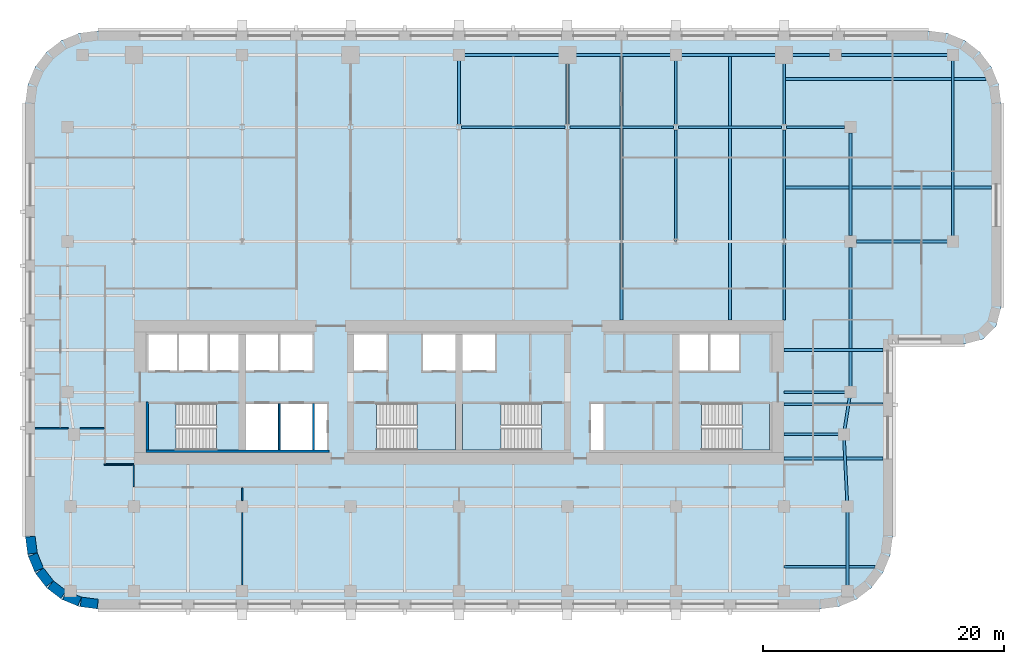
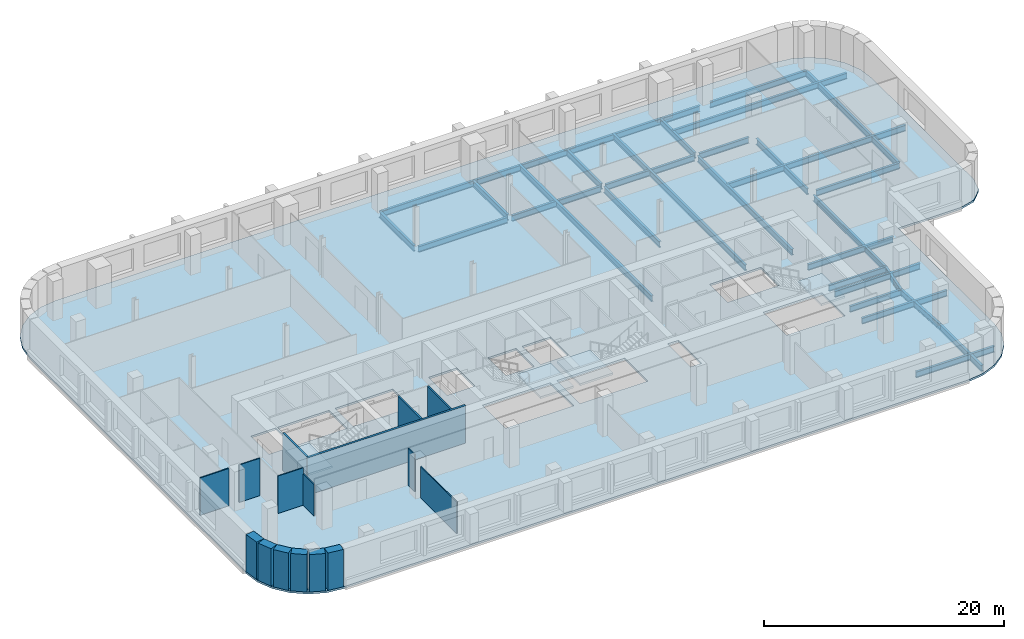
# One storey, part 2 of 9: 30 beams, 16 walls, 5 slabs, 4 elements without a shape of their own.
"""IFC4 building model written with IfcOpenShell, lengths in metres."""

import ifcopenshell
import ifcopenshell.guid

model = None  # the IFC model being written
_history = None  # IfcOwnerHistory: only IFC2X3 demands one
_inside = {}  # id of a spatial element -> (the spatial element, [elements in it])
_under = {}  # id of a project, library or spatial element -> (it, [spatial elements below it])
_declared = {}  # id of a project -> (the project, [libraries it declares])
_typed = {}  # id of a type object -> (the type object, [elements of that type])
_made_of = {}  # id of a material, layer set ... -> (it, [elements and type objects made of it])


def new_model(schema):
    """Start an empty IFC model of exactly this schema.

    Asked for "IFC4X3", IfcOpenShell would pick the latest addendum, in which some entities
    have other attributes; the version numbers below select the first issue.
    IFC2X3 requires an IfcOwnerHistory on every rooted entity: one is made here for all.
    """
    global model, _history
    if schema == "IFC4X3":
        model = ifcopenshell.file(schema_version=(4, 3, 0, 0))
    else:
        model = ifcopenshell.file(schema=schema)
    _inside.clear()
    _under.clear()
    _declared.clear()
    _typed.clear()
    _made_of.clear()
    _history = None
    if model.schema == "IFC2X3":
        org = make("IfcOrganization", Name="unknown")
        user = make(
            "IfcPersonAndOrganization",
            ThePerson=make("IfcPerson", FamilyName="unknown"),
            TheOrganization=org,
        )
        app = make(
            "IfcApplication",
            ApplicationDeveloper=org,
            Version="unknown",
            ApplicationFullName="unknown",
            ApplicationIdentifier="unknown",
        )
        _history = make(
            "IfcOwnerHistory",
            OwningUser=user,
            OwningApplication=app,
            ChangeAction="ADDED",
            CreationDate=0,
        )
    return model


def make(cls, **values):
    """One entity of the class cls with the attributes given. An attribute that is None is left unset."""
    return model.create_entity(
        cls, **{name: value for name, value in values.items() if value is not None}
    )


def rooted(cls, **values):
    """An entity with a GlobalId (a new one), such as an element, a storey or a relation."""
    return make(cls, GlobalId=ifcopenshell.guid.new(), OwnerHistory=_history, **values)


def si_unit(unit_type, name, prefix=None):
    """IfcSIUnit, for example si_unit("LENGTHUNIT", "METRE", prefix="MILLI")."""
    return make("IfcSIUnit", UnitType=unit_type, Prefix=prefix, Name=name)


def assignment(units):
    """IfcUnitAssignment: the units of a project."""
    return None if units is None else make("IfcUnitAssignment", Units=units)


def point(xyz):
    """IfcCartesianPoint."""
    return None if xyz is None else make("IfcCartesianPoint", Coordinates=xyz)


def direction(xyz):
    """IfcDirection."""
    return None if xyz is None else make("IfcDirection", DirectionRatios=xyz)


def frame(location, z_axis=None, x_axis=None):
    """IfcAxis2Placement3D, a coordinate frame: its origin and axes. An axis left out is left unset."""
    return make(
        "IfcAxis2Placement3D",
        Location=point(location),
        Axis=direction(z_axis),
        RefDirection=direction(x_axis),
    )


def frame_2d(location, x_axis=None):
    """IfcAxis2Placement2D, a coordinate frame in the plane: its origin and x axis."""
    return make(
        "IfcAxis2Placement2D", Location=point(location), RefDirection=direction(x_axis)
    )


def origin():
    """The frame at (0, 0, 0) with its axes left unset."""
    return frame((0.0, 0.0, 0.0))


def origin_2d():
    """The frame at (0, 0) in the plane with its x axis left unset."""
    return frame_2d((0.0, 0.0))


def place(relative_to, where):
    """IfcLocalPlacement: puts the frame where relative to a parent placement (None: the world)."""
    return make(
        "IfcLocalPlacement", PlacementRelTo=relative_to, RelativePlacement=where
    )


def context(
    kind, dimensions, precision=None, world=None, true_north=None, identifier=None
):
    """IfcGeometricRepresentationContext, for example the 3D "Model" context."""
    return make(
        "IfcGeometricRepresentationContext",
        ContextIdentifier=identifier,
        ContextType=kind,
        CoordinateSpaceDimension=dimensions,
        Precision=precision,
        WorldCoordinateSystem=world,
        TrueNorth=true_north,
    )


def subcontext(parent, identifier, kind, view, scale=None):
    """IfcGeometricRepresentationSubContext, for example "Body" below "Model"."""
    return make(
        "IfcGeometricRepresentationSubContext",
        ContextIdentifier=identifier,
        ContextType=kind,
        ParentContext=parent,
        TargetScale=scale,
        TargetView=view,
    )


def project(units=None, contexts=None):
    """IfcProject with its units and contexts."""
    return rooted(
        "IfcProject",
        Name="project",
        RepresentationContexts=contexts,
        UnitsInContext=assignment(units),
    )


def spatial(cls, under=None, at=None, **own):
    """A site, building, storey or space (cls), placed at a placement, below another one or the project."""
    s = rooted(cls, ObjectPlacement=at, **own)
    if under is not None:
        _under.setdefault(under.id(), (under, []))[1].append(s)
    return s


def polyline(points):
    """IfcPolyline through the points."""
    return make("IfcPolyline", Points=[point(p) for p in points])


def profile(cls, at=None, kind="AREA", **sizes):
    """A parametric profile (cls). Its sizes go by their IFC names, for example OverallWidth=200.0."""
    return make(cls, ProfileType=kind, Position=at, **sizes)


def rectangle(**sizes):
    """IfcRectangleProfileDef."""
    return profile("IfcRectangleProfileDef", **sizes)


def i_section(**sizes):
    """IfcIShapeProfileDef."""
    return profile("IfcIShapeProfileDef", **sizes)


def outline(outer, holes=None, kind="AREA"):
    """IfcArbitraryClosedProfileDef: a profile drawn as a closed curve; with holes, ...WithVoids."""
    if holes is None:
        return make("IfcArbitraryClosedProfileDef", ProfileType=kind, OuterCurve=outer)
    return make(
        "IfcArbitraryProfileDefWithVoids",
        ProfileType=kind,
        OuterCurve=outer,
        InnerCurves=holes,
    )


def extrude(swept, where, along, depth):
    """IfcExtrudedAreaSolid: the profile swept, set in the frame where, extruded along a direction by depth."""
    return make(
        "IfcExtrudedAreaSolid",
        SweptArea=swept,
        Position=where,
        ExtrudedDirection=direction(along),
        Depth=depth,
    )


def shape(context_of_items, identifier, shape_type, items):
    """IfcShapeRepresentation: the items that make up one representation, for example the "Body"."""
    return make(
        "IfcShapeRepresentation",
        ContextOfItems=context_of_items,
        RepresentationIdentifier=identifier,
        RepresentationType=shape_type,
        Items=items,
    )


def material(Name=None, Category=None):
    """IfcMaterial."""
    return make("IfcMaterial", Name=Name, Category=Category)


def layer(
    of_material, thickness, ventilated=None, Name=None, Category=None, Priority=None
):
    """IfcMaterialLayer: one layer of a wall or slab, of a material (None: an air gap)."""
    return make(
        "IfcMaterialLayer",
        Material=of_material,
        LayerThickness=thickness,
        IsVentilated=ventilated,
        Name=Name,
        Category=Category,
        Priority=Priority,
    )


def layer_set(layers, Name=None):
    """IfcMaterialLayerSet."""
    return make("IfcMaterialLayerSet", MaterialLayers=layers, LayerSetName=Name)


def material_profile(
    of_material, cross_section, Name=None, Category=None, Priority=None
):
    """IfcMaterialProfile: a cross section and its material."""
    return make(
        "IfcMaterialProfile",
        Name=Name,
        Material=of_material,
        Profile=cross_section,
        Priority=Priority,
        Category=Category,
    )


def profile_set(profiles, Name=None, composite=None):
    """IfcMaterialProfileSet."""
    return make(
        "IfcMaterialProfileSet",
        Name=Name,
        MaterialProfiles=profiles,
        CompositeProfile=composite,
    )


def made_of(thing, what):
    """Note that an element or type object is made of a material, layer set ...; save() writes the relation."""
    if what is not None:
        _made_of.setdefault(what.id(), (what, []))[1].append(thing)
    return thing


def type_object(cls, material=None, **own):
    """A type object (cls), such as IfcWallType, which elements share."""
    return made_of(rooted(cls, **own), material)


def element(
    cls,
    number,
    at=None,
    inside=None,
    cuts=None,
    type_object=None,
    material=None,
    context=None,
    identifier="Body",
    shape_type=None,
    held_by="IfcProductDefinitionShape",
    body=None,
    shapes=None,
    **own,
):
    """One element of the class cls, such as IfcWall. Its Tag is "e" and its number.

    at: its placement. inside: the storey or other place that contains it. cuts: it is an
    opening in that element (IfcRelVoidsElement). A single representation is given by context,
    identifier, shape_type and body (its items); several are given by shapes. held_by: the class
    of the entity that holds the representations. save() writes the other relations.
    """
    e = rooted(cls, Tag="e%d" % number, ObjectPlacement=at, **own)
    if body is not None:
        shapes = [shape(context, identifier, shape_type, body)]
    if shapes is not None:
        e.Representation = make(held_by, Representations=shapes)
    if inside is not None:
        _inside.setdefault(inside.id(), (inside, []))[1].append(e)
    if cuts is not None:
        rooted(
            "IfcRelVoidsElement", RelatingBuildingElement=cuts, RelatedOpeningElement=e
        )
    if type_object is not None:
        _typed.setdefault(type_object.id(), (type_object, []))[1].append(e)
    return made_of(e, material)


def aggregate(whole, parts):
    """IfcRelAggregates: a whole, such as a stair, and the parts it consists of."""
    return rooted("IfcRelAggregates", RelatingObject=whole, RelatedObjects=parts)


def save(model, path):
    """Write the relations noted so far, then the file.

    IfcRelAggregates (storeys below a building ...), IfcRelContainedInSpatialStructure (elements
    in a storey), IfcRelDefinesByType, IfcRelAssociatesMaterial and IfcRelDeclares: one each for
    every whole, place, type object, material and project.
    """
    for whole, parts in _under.values():
        aggregate(whole, parts)
    for where, things in _inside.values():
        rooted(
            "IfcRelContainedInSpatialStructure",
            RelatedElements=things,
            RelatingStructure=where,
        )
    for kind, things in _typed.values():
        rooted("IfcRelDefinesByType", RelatedObjects=things, RelatingType=kind)
    for what, things in _made_of.values():
        rooted("IfcRelAssociatesMaterial", RelatedObjects=things, RelatingMaterial=what)
    for by, libraries in _declared.values():
        rooted("IfcRelDeclares", RelatingContext=by, RelatedDefinitions=libraries)
    model.write(path)


model = new_model("IFC4")

# Units and contexts
model_context = context("Model", 3, precision=1e-05, world=origin(), true_north=direction((0.0, 1.0)))
body_context = subcontext(model_context, "Body", "Model", "MODEL_VIEW")
ifc_project = project(units=[si_unit("LENGTHUNIT", "METRE"), si_unit("AREAUNIT", "SQUARE_METRE"), si_unit("VOLUMEUNIT", "CUBIC_METRE"), si_unit("PLANEANGLEUNIT", "RADIAN"), si_unit("MASSUNIT", "GRAM", prefix="KILO")], contexts=[model_context])

# Site, building, storey
site_placement = place(None, origin())
site = spatial("IfcSite", under=ifc_project, at=site_placement, CompositionType="ELEMENT")
building_placement = place(site_placement, origin())
building = spatial("IfcBuilding", under=site, at=building_placement, Name="Zellij Exchange Tower", CompositionType="ELEMENT")
storey_placement = place(building_placement, frame((0.0, 0.0, 116.5)))
storey = spatial("IfcBuildingStorey", under=building, at=storey_placement, Name="L25", CompositionType="ELEMENT", Elevation=116.5)

# Beams
ifc_material_1 = material(Name="Structural steel ASTM A992 Gr 50", Category="steel")
ifc_material_profile_1 = material_profile(ifc_material_1, i_section(OverallWidth=0.227783203125, OverallDepth=0.60205078125, WebThickness=0.010498046875, FlangeThickness=0.014892578125, at=origin_2d()), Name="W24x68")
ifc_profile_set_1 = profile_set([ifc_material_profile_1], Name="Structural steel ASTM A992 Gr 50")
beam_type_1 = type_object("IfcBeamType", Name="STR-BEAM W24x68", PredefinedType="BEAM", material=ifc_profile_set_1)
for number, where, z_axis, x_axis, name in (
    (1, (13.5, -2.0, -0.5009765625), (0.0, 1.0, 0.0), (-1.0, 0.0, 0.0), "B5"),
    (2, (22.5, -2.0, -0.5009765625), (0.0, 1.0, 0.0), (-1.0, 0.0, 0.0), "B5"),
):
    element("IfcBeam", number, at=place(storey_placement, frame(where, z_axis=z_axis, x_axis=x_axis)), inside=storey, type_object=beam_type_1, Name=name, PredefinedType="BEAM", context=body_context, shape_type="SweptSolid", body=[
        extrude(i_section(OverallWidth=0.227783203125, OverallDepth=0.60205078125, WebThickness=0.010498046875, FlangeThickness=0.014892578125, at=origin_2d()), origin(), (0.0, 0.0, 1.0), 22.114501953125),
    ])
beam_1_placement = place(storey_placement, frame((27.0, -22.5, -0.5009765625), z_axis=(1.0, 0.0, 0.0), x_axis=(0.0, 1.0, 0.0)))
element("IfcBeam", 3, at=beam_1_placement, inside=storey, type_object=beam_type_1, Name="B5", PredefinedType="BEAM", context=body_context, shape_type="SweptSolid", body=[
    extrude(i_section(OverallWidth=0.227783203125, OverallDepth=0.60205078125, WebThickness=0.010498046875, FlangeThickness=0.014892578125, at=origin_2d()), origin(), (0.0, 0.0, 1.0), 7.537109375),
])
for number, where, z_axis, x_axis, name in (
    (4, (27.0, -13.5, -0.5009765625), (1.0, 0.0, 0.0), (0.0, 1.0, 0.0), "B5"),
    (5, (27.0, -9.0, -0.5009765625), (1.0, 0.0, 0.0), (0.0, 1.0, 0.0), "B5"),
    (6, (27.0, -4.5, -0.5009765625), (1.0, 0.0, 0.0), (0.0, 1.0, 0.0), "B5"),
):
    element("IfcBeam", number, at=place(storey_placement, frame(where, z_axis=z_axis, x_axis=x_axis)), inside=storey, type_object=beam_type_1, Name=name, PredefinedType="BEAM", context=body_context, shape_type="SweptSolid", body=[
        extrude(i_section(OverallWidth=0.227783203125, OverallDepth=0.60205078125, WebThickness=0.010498046875, FlangeThickness=0.014892578125, at=origin_2d()), origin(), (0.0, 0.0, 1.0), 8.199951171875),
    ])
beam_2_placement = place(storey_placement, frame((27.0, 9.0, -0.5009765625), z_axis=(1.0, 0.0, 0.0), x_axis=(0.0, 1.0, 0.0)))
element("IfcBeam", 7, at=beam_2_placement, inside=storey, type_object=beam_type_1, Name="B5", PredefinedType="BEAM", context=body_context, shape_type="SweptSolid", body=[
    extrude(i_section(OverallWidth=0.227783203125, OverallDepth=0.60205078125, WebThickness=0.010498046875, FlangeThickness=0.014892578125, at=origin_2d()), origin(), (0.0, 0.0, 1.0), 17.199951171875),
])
beam_3_placement = place(storey_placement, frame((27.0, 18.0, -0.5009765625), z_axis=(1.0, 0.0, 0.0), x_axis=(0.0, 1.0, 0.0)))
element("IfcBeam", 8, at=beam_3_placement, inside=storey, type_object=beam_type_1, Name="B5", PredefinedType="BEAM", context=body_context, shape_type="SweptSolid", body=[
    extrude(i_section(OverallWidth=0.227783203125, OverallDepth=0.60205078125, WebThickness=0.010498046875, FlangeThickness=0.014892578125, at=origin_2d()), origin(), (0.0, 0.0, 1.0), 16.743896484375),
])
ifc_material_profile_2 = material_profile(ifc_material_1, i_section(OverallWidth=0.22900390625, OverallDepth=0.612060546875, WebThickness=0.011962890625, FlangeThickness=0.01953125, at=origin_2d()), Name="W24x84")
ifc_profile_set_2 = profile_set([ifc_material_profile_2], Name="Structural steel ASTM A992 Gr 50")
beam_type_2 = type_object("IfcBeamType", Name="STR-EDGE GIRDER W24x84", PredefinedType="BEAM", material=ifc_profile_set_2)
beam_4_placement = place(storey_placement, frame((32.25, -24.5, -0.506103515625), z_axis=(0.0, 1.0, 0.0), x_axis=(-1.0, 0.0, 0.0)))
element("IfcBeam", 9, at=beam_4_placement, inside=storey, type_object=beam_type_2, Name="EB6", PredefinedType="BEAM", context=body_context, shape_type="SweptSolid", body=[
    extrude(i_section(OverallWidth=0.22900390625, OverallDepth=0.612060546875, WebThickness=0.011962890625, FlangeThickness=0.01953125, at=origin_2d()), origin(), (0.0, 0.0, 1.0), 7.0),
])
beam_5_placement = place(storey_placement, frame((32.25, -17.5, -0.506103515625), z_axis=(-0.049945724537, 0.998751933465, 0.0), x_axis=(-0.998751933465, -0.049945724537, 0.0)))
element("IfcBeam", 10, at=beam_5_placement, inside=storey, type_object=beam_type_2, Name="EB6", PredefinedType="BEAM", context=body_context, shape_type="SweptSolid", body=[
    extrude(i_section(OverallWidth=0.22900390625, OverallDepth=0.612060546875, WebThickness=0.011962890625, FlangeThickness=0.01953125, at=origin_2d()), origin(), (0.0, 0.0, 1.0), 6.007568359375),
])
beam_6_placement = place(storey_placement, frame((31.949951171875, -11.5, -0.506103515625), z_axis=(0.155251283593, 0.987875011802, 0.0), x_axis=(-0.987875011802, 0.155251283593, 0.0)))
element("IfcBeam", 11, at=beam_6_placement, inside=storey, type_object=beam_type_2, Name="EB6", PredefinedType="BEAM", context=body_context, shape_type="SweptSolid", body=[
    extrude(i_section(OverallWidth=0.22900390625, OverallDepth=0.612060546875, WebThickness=0.011962890625, FlangeThickness=0.01953125, at=origin_2d()), origin(), (0.0, 0.0, 1.0), 3.54296875),
])
beam_7_placement = place(storey_placement, frame((32.5, -8.0, -0.506103515625), z_axis=(0.0, 1.0, 0.0), x_axis=(-1.0, 0.0, 0.0)))
element("IfcBeam", 12, at=beam_7_placement, inside=storey, type_object=beam_type_2, Name="EB6", PredefinedType="BEAM", context=body_context, shape_type="SweptSolid", body=[
    extrude(i_section(OverallWidth=0.22900390625, OverallDepth=0.612060546875, WebThickness=0.011962890625, FlangeThickness=0.01953125, at=origin_2d()), origin(), (0.0, 0.0, 1.0), 12.0),
])
beam_8_placement = place(storey_placement, frame((32.5, 5.0, -0.506103515625), z_axis=(0.0, 1.0, 0.0), x_axis=(-1.0, 0.0, 0.0)))
element("IfcBeam", 13, at=beam_8_placement, inside=storey, type_object=beam_type_2, Name="EB6", PredefinedType="BEAM", context=body_context, shape_type="SweptSolid", body=[
    extrude(i_section(OverallWidth=0.22900390625, OverallDepth=0.612060546875, WebThickness=0.011962890625, FlangeThickness=0.01953125, at=origin_2d()), origin(), (0.0, 0.0, 1.0), 8.5),
])
beam_9_placement = place(storey_placement, frame((41.0, 4.5, -0.506103515625), z_axis=(0.0, 1.0, 0.0), x_axis=(-1.0, 0.0, 0.0)))
element("IfcBeam", 14, at=beam_9_placement, inside=storey, type_object=beam_type_2, Name="EB6", PredefinedType="BEAM", context=body_context, shape_type="SweptSolid", body=[
    extrude(i_section(OverallWidth=0.22900390625, OverallDepth=0.612060546875, WebThickness=0.011962890625, FlangeThickness=0.01953125, at=origin_2d()), origin(), (0.0, 0.0, 1.0), 15.5),
])
ifc_material_profile_3 = material_profile(ifc_material_1, i_section(OverallWidth=0.22900390625, OverallDepth=0.612060546875, WebThickness=0.011962890625, FlangeThickness=0.01953125, at=origin_2d()), Name="W24x84")
ifc_profile_set_3 = profile_set([ifc_material_profile_3], Name="Structural steel ASTM A992 Gr 50")
beam_type_3 = type_object("IfcBeamType", Name="STR-GIRDER W24x84", PredefinedType="BEAM", material=ifc_profile_set_3)
beam_10_placement = place(storey_placement, frame((27.0, -11.5, -0.506103515625), z_axis=(1.0, 0.0, 0.0), x_axis=(0.0, 1.0, 0.0)))
element("IfcBeam", 15, at=beam_10_placement, inside=storey, type_object=beam_type_3, Name="G4", PredefinedType="BEAM", context=body_context, shape_type="SweptSolid", body=[
    extrude(i_section(OverallWidth=0.22900390625, OverallDepth=0.612060546875, WebThickness=0.011962890625, FlangeThickness=0.01953125, at=origin_2d()), origin(), (0.0, 0.0, 1.0), 4.949951171875),
])
beam_11_placement = place(storey_placement, frame((27.0, -8.0, -0.506103515625), z_axis=(1.0, 0.0, 0.0), x_axis=(0.0, 1.0, 0.0)))
element("IfcBeam", 16, at=beam_11_placement, inside=storey, type_object=beam_type_3, Name="G4", PredefinedType="BEAM", context=body_context, shape_type="SweptSolid", body=[
    extrude(i_section(OverallWidth=0.22900390625, OverallDepth=0.612060546875, WebThickness=0.011962890625, FlangeThickness=0.01953125, at=origin_2d()), origin(), (0.0, 0.0, 1.0), 5.5),
])
beam_12_placement = place(storey_placement, frame((33.0, 4.5, -0.506103515625), z_axis=(1.0, 0.0, 0.0), x_axis=(0.0, 1.0, 0.0)))
element("IfcBeam", 17, at=beam_12_placement, inside=storey, type_object=beam_type_3, Name="G4", PredefinedType="BEAM", context=body_context, shape_type="SweptSolid", body=[
    extrude(i_section(OverallWidth=0.22900390625, OverallDepth=0.612060546875, WebThickness=0.011962890625, FlangeThickness=0.01953125, at=origin_2d()), origin(), (0.0, 0.0, 1.0), 8.0),
])
beam_13_placement = place(storey_placement, frame((0.20947265625, 14.0, -0.506103515625), z_axis=(1.0, 0.0, 0.0), x_axis=(0.0, 1.0, 0.0)))
element("IfcBeam", 18, at=beam_13_placement, inside=storey, type_object=beam_type_3, Name="G4", PredefinedType="BEAM", context=body_context, shape_type="SweptSolid", body=[
    extrude(i_section(OverallWidth=0.22900390625, OverallDepth=0.612060546875, WebThickness=0.011962890625, FlangeThickness=0.01953125, at=origin_2d()), origin(), (0.0, 0.0, 1.0), 8.580810546875),
])
for number, where, z_axis, x_axis, name in (
    (19, (9.209716796875, 14.0, -0.506103515625), (1.0, 0.0, 0.0), (0.0, 1.0, 0.0), "G4"),
    (20, (18.209716796875, 14.0, -0.506103515625), (1.0, 0.0, 0.0), (0.0, 1.0, 0.0), "G4"),
):
    element("IfcBeam", number, at=place(storey_placement, frame(where, z_axis=z_axis, x_axis=x_axis)), inside=storey, type_object=beam_type_3, Name=name, PredefinedType="BEAM", context=body_context, shape_type="SweptSolid", body=[
        extrude(i_section(OverallWidth=0.22900390625, OverallDepth=0.612060546875, WebThickness=0.011962890625, FlangeThickness=0.01953125, at=origin_2d()), origin(), (0.0, 0.0, 1.0), 8.58056640625),
    ])
beam_14_placement = place(storey_placement, frame((27.209716796875, 14.0, -0.506103515625), z_axis=(1.0, 0.0, 0.0), x_axis=(0.0, 1.0, 0.0)))
element("IfcBeam", 21, at=beam_14_placement, inside=storey, type_object=beam_type_3, Name="G4", PredefinedType="BEAM", context=body_context, shape_type="SweptSolid", body=[
    extrude(i_section(OverallWidth=0.22900390625, OverallDepth=0.612060546875, WebThickness=0.011962890625, FlangeThickness=0.01953125, at=origin_2d()), origin(), (0.0, 0.0, 1.0), 4.790283203125),
])
beam_15_placement = place(storey_placement, frame((0.0, 20.0, -0.506103515625), z_axis=(1.0, 0.0, 0.0), x_axis=(0.0, 1.0, 0.0)))
element("IfcBeam", 22, at=beam_15_placement, inside=storey, type_object=beam_type_3, Name="G4", PredefinedType="BEAM", context=body_context, shape_type="SweptSolid", body=[
    extrude(i_section(OverallWidth=0.22900390625, OverallDepth=0.612060546875, WebThickness=0.011962890625, FlangeThickness=0.01953125, at=origin_2d()), origin(), (0.0, 0.0, 1.0), 18.0),
])
beam_16_placement = place(storey_placement, frame((18.0, 20.0, -0.506103515625), z_axis=(1.0, 0.0, 0.0), x_axis=(0.0, 1.0, 0.0)))
element("IfcBeam", 23, at=beam_16_placement, inside=storey, type_object=beam_type_3, Name="G4", PredefinedType="BEAM", context=body_context, shape_type="SweptSolid", body=[
    extrude(i_section(OverallWidth=0.22900390625, OverallDepth=0.612060546875, WebThickness=0.011962890625, FlangeThickness=0.01953125, at=origin_2d()), origin(), (0.0, 0.0, 1.0), 12.75),
])
beam_17_placement = place(storey_placement, frame((31.75, 20.0, -0.506103515625), z_axis=(1.0, 0.0, 0.0), x_axis=(0.0, 1.0, 0.0)))
element("IfcBeam", 24, at=beam_17_placement, inside=storey, type_object=beam_type_3, Name="G4", PredefinedType="BEAM", context=body_context, shape_type="SweptSolid", body=[
    extrude(i_section(OverallWidth=0.22900390625, OverallDepth=0.612060546875, WebThickness=0.011962890625, FlangeThickness=0.01953125, at=origin_2d()), origin(), (0.0, 0.0, 1.0), 9.25),
])
for number, where, z_axis, x_axis, name in (
    (25, (0.0, 14.227294921875, -0.506103515625), (0.0, 1.0, 0.0), (-1.0, 0.0, 0.0), "G4"),
    (26, (9.0, 14.227294921875, -0.506103515625), (0.0, 1.0, 0.0), (-1.0, 0.0, 0.0), "G4"),
):
    element("IfcBeam", number, at=place(storey_placement, frame(where, z_axis=z_axis, x_axis=x_axis)), inside=storey, type_object=beam_type_3, Name=name, PredefinedType="BEAM", context=body_context, shape_type="SweptSolid", body=[
        extrude(i_section(OverallWidth=0.22900390625, OverallDepth=0.612060546875, WebThickness=0.011962890625, FlangeThickness=0.01953125, at=origin_2d()), origin(), (0.0, 0.0, 1.0), 5.772705078125),
    ])
beam_18_placement = place(storey_placement, frame((18.0, 4.5, -0.506103515625), z_axis=(0.0, 1.0, 0.0), x_axis=(-1.0, 0.0, 0.0)))
element("IfcBeam", 27, at=beam_18_placement, inside=storey, type_object=beam_type_3, Name="G4", PredefinedType="BEAM", context=body_context, shape_type="SweptSolid", body=[
    extrude(i_section(OverallWidth=0.22900390625, OverallDepth=0.612060546875, WebThickness=0.011962890625, FlangeThickness=0.01953125, at=origin_2d()), origin(), (0.0, 0.0, 1.0), 9.272705078125),
])
beam_19_placement = place(storey_placement, frame((18.0, 14.227294921875, -0.506103515625), z_axis=(0.0, 1.0, 0.0), x_axis=(-1.0, 0.0, 0.0)))
element("IfcBeam", 28, at=beam_19_placement, inside=storey, type_object=beam_type_3, Name="G4", PredefinedType="BEAM", context=body_context, shape_type="SweptSolid", body=[
    extrude(i_section(OverallWidth=0.22900390625, OverallDepth=0.612060546875, WebThickness=0.011962890625, FlangeThickness=0.01953125, at=origin_2d()), origin(), (0.0, 0.0, 1.0), 5.772705078125),
])
beam_20_placement = place(storey_placement, frame((27.0, -2.0, -0.506103515625), z_axis=(0.0, 1.0, 0.0), x_axis=(-1.0, 0.0, 0.0)))
element("IfcBeam", 29, at=beam_20_placement, inside=storey, type_object=beam_type_3, Name="G4", PredefinedType="BEAM", context=body_context, shape_type="SweptSolid", body=[
    extrude(i_section(OverallWidth=0.22900390625, OverallDepth=0.612060546875, WebThickness=0.011962890625, FlangeThickness=0.01953125, at=origin_2d()), origin(), (0.0, 0.0, 1.0), 15.772705078125),
])
beam_21_placement = place(storey_placement, frame((27.0, 14.227294921875, -0.506103515625), z_axis=(0.0, 1.0, 0.0), x_axis=(-1.0, 0.0, 0.0)))
element("IfcBeam", 30, at=beam_21_placement, inside=storey, type_object=beam_type_3, Name="G4", PredefinedType="BEAM", context=body_context, shape_type="SweptSolid", body=[
    extrude(i_section(OverallWidth=0.22900390625, OverallDepth=0.612060546875, WebThickness=0.011962890625, FlangeThickness=0.01953125, at=origin_2d()), origin(), (0.0, 0.0, 1.0), 5.772705078125),
])

# Stair, slab
ifc_material_2 = material(Name="Concrete C40/50", Category="concrete")
stair_type = type_object("IfcStairType", Name="CORE-ST exit stair 1850 wide", PredefinedType="HALF_TURN_STAIR", material=ifc_material_2)
stair_1_placement = place(storey_placement, origin())
stair_1 = element("IfcStair", 31, at=stair_1_placement, inside=storey, type_object=stair_type, Name="L25 exit stair ST1", PredefinedType="HALF_TURN_STAIR")
ifc_layer_1 = layer(ifc_material_2, 0.199951171875)
ifc_layer_set_1 = layer_set([ifc_layer_1], Name="Concrete C40/50")
slab_type_1 = type_object("IfcSlabType", Name="CORE-SL stair landing 200", PredefinedType="LANDING", material=ifc_layer_set_1)
slab_1_placement = place(storey_placement, frame((0.0, 0.0, 1.800048828125)))
slab_1 = element("IfcSlab", 32, at=slab_1_placement, type_object=slab_type_1, Name="ST1 landing 1", PredefinedType="LANDING", context=body_context, shape_type="SweptSolid", body=[
    extrude(outline(polyline([(-23.510009765625, -8.949951171875), (-25.800048828125, -8.949951171875), (-25.800048828125, -12.800048828125), (-23.510009765625, -12.800048828125), (-23.510009765625, -8.949951171875)])), origin(), (0.0, 0.0, 1.0), 0.199951171875),
])
aggregate(stair_1, [slab_1])

stair_2_placement = place(storey_placement, origin())
stair_2 = element("IfcStair", 33, at=stair_2_placement, inside=storey, type_object=stair_type, Name="L25 exit stair ST2", PredefinedType="HALF_TURN_STAIR")
slab_2_placement = place(storey_placement, frame((0.0, 0.0, 1.800048828125)))
slab_2 = element("IfcSlab", 34, at=slab_2_placement, type_object=slab_type_1, Name="ST2 landing 1", PredefinedType="LANDING", context=body_context, shape_type="SweptSolid", body=[
    extrude(outline(polyline([(-3.489990234375, -12.800048828125), (-0.300048828125, -12.800048828125), (-0.300048828125, -8.949951171875), (-3.489990234375, -8.949951171875), (-3.489990234375, -12.800048828125)])), origin(), (0.0, 0.0, 1.0), 0.199951171875),
])
aggregate(stair_2, [slab_2])

stair_3_placement = place(storey_placement, origin())
stair_3 = element("IfcStair", 35, at=stair_3_placement, inside=storey, type_object=stair_type, Name="L25 exit stair ST3", PredefinedType="HALF_TURN_STAIR")
slab_3_placement = place(storey_placement, frame((0.0, 0.0, 1.800048828125)))
slab_3 = element("IfcSlab", 36, at=slab_3_placement, type_object=slab_type_1, Name="ST3 landing 1", PredefinedType="LANDING", context=body_context, shape_type="SweptSolid", body=[
    extrude(outline(polyline([(3.489990234375, -8.949951171875), (0.300048828125, -8.949951171875), (0.300048828125, -12.800048828125), (3.489990234375, -12.800048828125), (3.489990234375, -8.949951171875)])), origin(), (0.0, 0.0, 1.0), 0.199951171875),
])
aggregate(stair_3, [slab_3])

stair_4_placement = place(storey_placement, origin())
stair_4 = element("IfcStair", 37, at=stair_4_placement, inside=storey, type_object=stair_type, Name="L25 exit stair ST4", PredefinedType="HALF_TURN_STAIR")
slab_4_placement = place(storey_placement, frame((0.0, 0.0, 1.800048828125)))
slab_4 = element("IfcSlab", 38, at=slab_4_placement, type_object=slab_type_1, Name="ST4 landing 1", PredefinedType="LANDING", context=body_context, shape_type="SweptSolid", body=[
    extrude(outline(polyline([(23.510009765625, -12.800048828125), (25.800048828125, -12.800048828125), (25.800048828125, -8.949951171875), (23.510009765625, -8.949951171875), (23.510009765625, -12.800048828125)])), origin(), (0.0, 0.0, 1.0), 0.199951171875),
])
aggregate(stair_4, [slab_4])

# Slab
ifc_layer_2 = layer(ifc_material_2, 0.199951171875)
ifc_layer_set_2 = layer_set([ifc_layer_2], Name="Concrete C40/50")
slab_type_2 = type_object("IfcSlabType", Name="STR-FLOOR SLAB 200 C40/50", PredefinedType="FLOOR", material=ifc_layer_set_2)
slab_5_placement = place(storey_placement, frame((0.0, 0.0, -0.2001953125)))
element("IfcSlab", 39, at=slab_5_placement, inside=storey, type_object=slab_type_2, Name="Floor L25", PredefinedType="FLOOR", context=body_context, shape_type="SweptSolid", body=[
    extrude(outline(polyline([(35.795654296875, -21.552978515625), (35.1962890625, -23.0), (34.24267578125, -24.24267578125), (33.0, -25.1962890625), (31.552978515625, -25.795654296875), (30.0, -26.0), (-30.0, -26.0), (-31.552978515625, -25.795654296875), (-33.0, -25.1962890625), (-34.24267578125, -24.24267578125), (-35.1962890625, -23.0), (-35.795654296875, -21.552978515625), (-36.0, -20.0), (-36.0, 16.0), (-35.795654296875, 17.552978515625), (-35.1962890625, 19.0), (-34.24267578125, 20.24267578125), (-33.0, 21.1962890625), (-31.552978515625, 21.795654296875), (-30.0, 22.0), (39.0, 22.0), (40.552978515625, 21.795654296875), (42.0, 21.1962890625), (43.24267578125, 20.24267578125), (44.1962890625, 19.0), (44.795654296875, 17.552978515625), (45.0, 16.0), (45.0, -1.0), (44.59814453125, -2.5), (43.5, -3.59814453125), (42.0, -4.0), (36.0, -4.0), (36.0, -20.0), (35.795654296875, -21.552978515625)]), holes=[polyline([(-25.800048828125, -8.949951171875), (-25.800048828125, -12.800048828125), (-20.153076171875, -12.800048828125), (-20.153076171875, -8.949951171875), (-25.800048828125, -8.949951171875)]), polyline([(-12.14990234375, -8.949951171875), (-17.699951171875, -8.949951171875), (-17.699951171875, -12.800048828125), (-12.14990234375, -12.800048828125), (-12.14990234375, -8.949951171875)]), polyline([(-10.949951171875, -8.949951171875), (-12.0, -8.949951171875), (-12.0, -12.800048828125), (-10.949951171875, -12.800048828125), (-10.949951171875, -8.949951171875)]), polyline([(-23.39990234375, -3.199951171875), (-25.800048828125, -3.199951171875), (-25.800048828125, -6.22509765625), (-23.39990234375, -6.22509765625), (-23.39990234375, -3.199951171875)]), polyline([(-18.300048828125, -3.199951171875), (-23.25, -3.199951171875), (-23.25, -6.22509765625), (-18.300048828125, -6.22509765625), (-18.300048828125, -3.199951171875)]), polyline([(-12.14990234375, -3.199951171875), (-17.699951171875, -3.199951171875), (-17.699951171875, -6.22509765625), (-12.14990234375, -6.22509765625), (-12.14990234375, -3.199951171875)]), polyline([(-6.0, -3.199951171875), (-8.699951171875, -3.199951171875), (-8.699951171875, -6.22509765625), (-6.0, -6.22509765625), (-6.0, -3.199951171875)]), polyline([(-6.846923828125, -8.949951171875), (-6.846923828125, -12.800048828125), (-0.300048828125, -12.800048828125), (-0.300048828125, -8.949951171875), (-6.846923828125, -8.949951171875)]), polyline([(6.846923828125, -8.949951171875), (0.300048828125, -8.949951171875), (0.300048828125, -12.800048828125), (6.846923828125, -12.800048828125), (6.846923828125, -8.949951171875)]), polyline([(12.0, -8.949951171875), (10.949951171875, -8.949951171875), (10.949951171875, -12.800048828125), (12.0, -12.800048828125), (12.0, -8.949951171875)]), polyline([(25.800048828125, -8.949951171875), (20.153076171875, -8.949951171875), (20.153076171875, -12.800048828125), (25.800048828125, -12.800048828125), (25.800048828125, -8.949951171875)]), polyline([(-0.300048828125, -3.199951171875), (-3.0, -3.199951171875), (-3.0, -6.22509765625), (-0.300048828125, -6.22509765625), (-0.300048828125, -3.199951171875)]), polyline([(3.0, -3.199951171875), (0.300048828125, -3.199951171875), (0.300048828125, -6.22509765625), (3.0, -6.22509765625), (3.0, -3.199951171875)]), polyline([(23.25, -3.199951171875), (18.300048828125, -3.199951171875), (18.300048828125, -6.22509765625), (23.25, -6.22509765625), (23.25, -3.199951171875)])]), origin(), (0.0, 0.0, 1.0), 0.2001953125),
])

# Walls
ifc_material_3 = material(Name="Concrete C30/37", Category="concrete")
ifc_layer_3 = layer(ifc_material_3, 0.199951171875)
ifc_layer_set_3 = layer_set([ifc_layer_3], Name="Concrete C30/37")
wall_type_1 = type_object("IfcWallType", Name="CORE-LW 200 C30/37", PredefinedType="SHEAR", material=ifc_layer_set_3)
wall_1_placement = place(storey_placement, frame((-26.0, -12.89990234375, 0.0), z_axis=(0.0, 0.0, 1.0), x_axis=(1.0, 0.0, 0.0)))
element("IfcWall", 40, at=wall_1_placement, inside=storey, type_object=wall_type_1, Name="Core wall lining rear.0 L25", PredefinedType="SHEAR", context=body_context, shape_type="SweptSolid", body=[
    extrude(rectangle(XDim=15.199951171875, YDim=0.199951171875, at=frame_2d((7.60009765625, 0.0))), origin(), (0.0, 0.0, 1.0), 3.800048828125),
])
wall_2_placement = place(storey_placement, frame((-25.89990234375, -12.800048828125, 0.0), z_axis=(0.0, 0.0, 1.0), x_axis=(0.0, 1.0, 0.0)))
element("IfcWall", 41, at=wall_2_placement, inside=storey, type_object=wall_type_1, Name="Core wall lining end w.0 L25", PredefinedType="SHEAR", context=body_context, shape_type="SweptSolid", body=[
    extrude(rectangle(XDim=4.0, YDim=0.199951171875, at=frame_2d((2.0, 0.0))), origin(), (0.0, 0.0, 1.0), 3.800048828125),
])
ifc_material_4 = material(Name="Gypsum shaft wall system")
ifc_layer_4 = layer(ifc_material_4, 0.14990234375)
ifc_layer_set_4 = layer_set([ifc_layer_4], Name="Gypsum shaft wall system")
wall_type_2 = type_object("IfcWallType", Name="CORE-PW 150 Lift shaft wall", PredefinedType="PARTITIONING", material=ifc_layer_set_4)
for number, where, z_axis, x_axis, name in (
    (42, (-12.074951171875, -12.800048828125, 0.0), (0.0, 0.0, 1.0), (0.0, 1.0, 0.0), "Lift shaft wall L25"),
    (43, (-14.925048828125, -12.800048828125, 0.0), (0.0, 0.0, 1.0), (0.0, 1.0, 0.0), "Lift shaft wall L25"),
):
    element("IfcWall", number, at=place(storey_placement, frame(where, z_axis=z_axis, x_axis=x_axis)), inside=storey, type_object=wall_type_2, Name=name, PredefinedType="PARTITIONING", context=body_context, shape_type="SweptSolid", body=[
        extrude(rectangle(XDim=3.85009765625, YDim=0.14990234375, at=frame_2d((1.925048828125, 0.0))), origin(), (0.0, 0.0, 1.0), 3.800048828125),
    ])
ifc_material_5 = material(Name="Precast concrete C40/50", Category="concrete")
ifc_layer_5 = layer(ifc_material_5, 0.800048828125)
ifc_layer_set_5 = layer_set([ifc_layer_5], Name="Precast concrete C40/50")
wall_type_3 = type_object("IfcWallType", Name="ENV-EW1 Precast stone-piered wall 800", PredefinedType="SOLIDWALL", material=ifc_layer_set_5)
wall_3_placement = place(storey_placement, frame((-35.5966796875, -19.999755859375, 0.0), z_axis=(0.0, 0.0, 1.0), x_axis=(0.130517283865, -0.99144603414, 0.0)))
element("IfcWall", 44, at=wall_3_placement, inside=storey, type_object=wall_type_3, Name="fac.L25.27", PredefinedType="SOLIDWALL", context=body_context, shape_type="SweptSolid", body=[
    extrude(rectangle(XDim=1.408447265625, YDim=0.800048828125, at=frame_2d((0.7041015625, 0.0))), origin(), (0.0, 0.0, 1.0), 3.800048828125),
])
wall_4_placement = place(storey_placement, frame((-35.3857421875, -21.497314453125, 0.0), z_axis=(0.0, 0.0, 1.0), x_axis=(0.38276009378, -0.923847774587, 0.0)))
element("IfcWall", 45, at=wall_4_placement, inside=storey, type_object=wall_type_3, Name="fac.L25.28", PredefinedType="SOLIDWALL", context=body_context, shape_type="SweptSolid", body=[
    extrude(rectangle(XDim=1.35546875, YDim=0.800048828125, at=frame_2d((0.677734375, 0.0))), origin(), (0.0, 0.0, 1.0), 3.800048828125),
])
for number, where, z_axis, x_axis, name in (
    (46, (-34.814697265625, -22.840087890625, 0.0), (0.0, 0.0, 1.0), (0.608866226366, -0.793272915452, 0.0), "fac.L25.29"),
    (47, (-33.91552734375, -23.9892578125, 0.0), (0.0, 0.0, 1.0), (0.793272915452, -0.608866226366, 0.0), "fac.L25.30"),
):
    element("IfcWall", number, at=place(storey_placement, frame(where, z_axis=z_axis, x_axis=x_axis)), inside=storey, type_object=wall_type_3, Name=name, PredefinedType="SOLIDWALL", context=body_context, shape_type="SweptSolid", body=[
        extrude(rectangle(XDim=1.355712890625, YDim=0.800048828125, at=frame_2d((0.677734375, 0.0))), origin(), (0.0, 0.0, 1.0), 3.800048828125),
    ])
wall_5_placement = place(storey_placement, frame((-32.74951171875, -24.866943359375, 0.0), z_axis=(0.0, 0.0, 1.0), x_axis=(0.923847774587, -0.38276009378, 0.0)))
element("IfcWall", 48, at=wall_5_placement, inside=storey, type_object=wall_type_3, Name="fac.L25.31", PredefinedType="SOLIDWALL", context=body_context, shape_type="SweptSolid", body=[
    extrude(rectangle(XDim=1.35546875, YDim=0.800048828125, at=frame_2d((0.677734375, 0.0))), origin(), (0.0, 0.0, 1.0), 3.800048828125),
])
wall_6_placement = place(storey_placement, frame((-31.396240234375, -25.412841796875, 0.0), z_axis=(0.0, 0.0, 1.0), x_axis=(0.99144603414, -0.130517283865, 0.0)))
element("IfcWall", 49, at=wall_6_placement, inside=storey, type_object=wall_type_3, Name="fac.L25.32", PredefinedType="SOLIDWALL", context=body_context, shape_type="SweptSolid", body=[
    extrude(rectangle(XDim=1.408447265625, YDim=0.800048828125, at=frame_2d((0.7041015625, 0.0))), origin(), (0.0, 0.0, 1.0), 3.800048828125),
])
ifc_material_6 = material(Name="Gypsum board partition on steel studs", Category="steel")
ifc_layer_6 = layer(ifc_material_6, 0.10009765625)
ifc_layer_set_6 = layer_set([ifc_layer_6], Name="Gypsum board partition on steel studs")
wall_type_4 = type_object("IfcWallType", Name="FIT-PARTITION-100", PredefinedType="PARTITIONING", material=ifc_layer_set_6)
wall_7_placement = place(storey_placement, frame((-18.0, -24.0, 0.0), z_axis=(0.0, 0.0, 1.0), x_axis=(0.0, 1.0, 0.0)))
element("IfcWall", 50, at=wall_7_placement, inside=storey, type_object=wall_type_4, Name="FIT-PARTITION-100 001", PredefinedType="PARTITIONING", context=body_context, shape_type="SweptSolid", body=[
    extrude(rectangle(XDim=6.0, YDim=0.10009765625, at=frame_2d((3.0, 0.0))), origin(), (0.0, 0.0, 1.0), 3.18798828125),
])
wall_8_placement = place(storey_placement, frame((-18.0, -17.0, 0.0), z_axis=(0.0, 0.0, 1.0), x_axis=(0.0, 1.0, 0.0)))
element("IfcWall", 51, at=wall_8_placement, inside=storey, type_object=wall_type_4, Name="FIT-PARTITION-100 002", PredefinedType="PARTITIONING", context=body_context, shape_type="SweptSolid", body=[
    extrude(rectangle(XDim=1.050048828125, YDim=0.10009765625, at=frame_2d((0.52490234375, 0.0))), origin(), (0.0, 0.0, 1.0), 3.800048828125),
])
wall_9_placement = place(storey_placement, frame((-27.0, -15.85009765625, 0.0), z_axis=(0.0, 0.0, 1.0), x_axis=(0.0, 1.0, 0.0)))
element("IfcWall", 52, at=wall_9_placement, inside=storey, type_object=wall_type_4, Name="FIT-PARTITION-100 008", PredefinedType="PARTITIONING", context=body_context, shape_type="SweptSolid", body=[
    extrude(rectangle(XDim=1.800048828125, YDim=0.10009765625, at=frame_2d((0.89990234375, 0.0))), origin(), (0.0, 0.0, 1.0), 3.18798828125),
])
wall_10_placement = place(storey_placement, frame((-29.449951171875, -14.0, 0.0), z_axis=(0.0, 0.0, 1.0), x_axis=(1.0, 0.0, 0.0)))
element("IfcWall", 53, at=wall_10_placement, inside=storey, type_object=wall_type_4, Name="FIT-PARTITION-100 010", PredefinedType="PARTITIONING", context=body_context, shape_type="SweptSolid", body=[
    extrude(rectangle(XDim=2.449951171875, YDim=0.10009765625, at=frame_2d((1.22509765625, 0.0))), origin(), (0.0, 0.0, 1.0), 3.800048828125),
])
wall_11_placement = place(storey_placement, frame((-35.199951171875, -10.989990234375, 0.0), z_axis=(0.0, 0.0, 1.0), x_axis=(1.0, 0.0, 0.0)))
element("IfcWall", 54, at=wall_11_placement, inside=storey, type_object=wall_type_4, Name="FIT-PARTITION-100 014", PredefinedType="PARTITIONING", context=body_context, shape_type="SweptSolid", body=[
    extrude(rectangle(XDim=2.75, YDim=0.10009765625, at=frame_2d((1.375, 0.0))), origin(), (0.0, 0.0, 1.0), 3.800048828125),
])
wall_12_placement = place(storey_placement, frame((-31.449951171875, -10.989990234375, 0.0), z_axis=(0.0, 0.0, 1.0), x_axis=(1.0, 0.0, 0.0)))
element("IfcWall", 55, at=wall_12_placement, inside=storey, type_object=wall_type_4, Name="FIT-PARTITION-100 015", PredefinedType="PARTITIONING", context=body_context, shape_type="SweptSolid", body=[
    extrude(rectangle(XDim=2.0, YDim=0.10009765625, at=frame_2d((1.0, 0.0))), origin(), (0.0, 0.0, 1.0), 3.800048828125),
])

save(model, "model.ifc")
